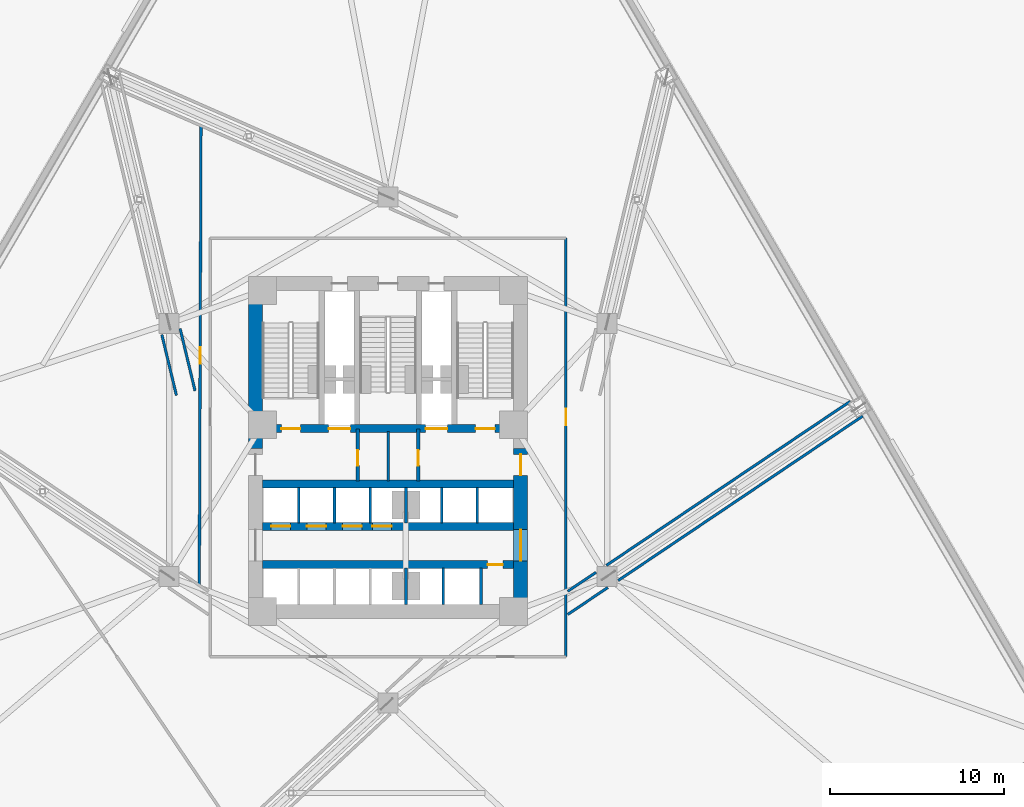
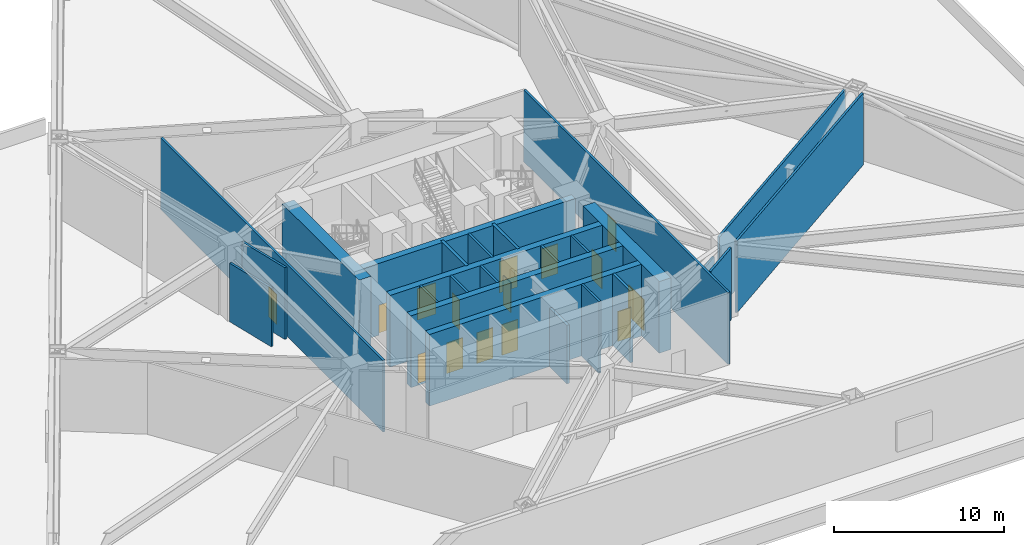
# One storey, part 16 of 23: 26 walls, 15 doors, 15 openings.
"""IFC4 building model written with IfcOpenShell, lengths in metres."""

from ifc_helpers import new_model, si_unit, direction, frame, frame_2d, origin, place, context, subcontext, project, spatial, rectangle, extrude, material, layer, layer_set, type_object, element, fill, save


model = new_model("IFC4")

# Units and contexts
model_context = context("Model", 3, precision=1e-05, world=origin(), true_north=direction((0.0, 1.0)))
body_context = subcontext(model_context, "Body", "Model", "MODEL_VIEW")
ifc_project = project(units=[si_unit("LENGTHUNIT", "METRE"), si_unit("AREAUNIT", "SQUARE_METRE"), si_unit("VOLUMEUNIT", "CUBIC_METRE"), si_unit("PLANEANGLEUNIT", "RADIAN"), si_unit("MASSUNIT", "GRAM", prefix="KILO")], contexts=[model_context])

# Site, building, storey
site_placement = place(None, origin())
site = spatial("IfcSite", under=ifc_project, at=site_placement, CompositionType="ELEMENT")
building_placement = place(site_placement, origin())
building = spatial("IfcBuilding", under=site, at=building_placement, Name="Apsidion Concourse Tower", CompositionType="ELEMENT")
storey_placement = place(building_placement, frame((0.0, 0.0, 29.0)))
storey = spatial("IfcBuildingStorey", under=building, at=storey_placement, Name="L05", CompositionType="ELEMENT", Elevation=29.0)

# Walls
ifc_material_1 = material(Name="Gypsum plasterboard partition")
ifc_layer_1 = layer(ifc_material_1, 0.14990234375)
ifc_layer_set_1 = layer_set([ifc_layer_1], Name="Gypsum plasterboard partition")
wall_type_1 = type_object("IfcWallType", Name="WL-INT-PAR-150", PredefinedType="PARTITIONING", material=ifc_layer_set_1)
for number, where, z_axis, x_axis, name in (
    (1, (-5.125, -4.179931640625, 0.0), (0.0, 0.0, 1.0), (0.0, 1.0, 0.0), "L05 Interior Partition WL-L05-B1DIV-1"),
    (2, (-3.074951171875, -4.179931640625, 0.0), (0.0, 0.0, 1.0), (0.0, 1.0, 0.0), "L05 Interior Partition WL-L05-B1DIV-2"),
    (3, (-1.02490234375, -4.179931640625, 0.0), (0.0, 0.0, 1.0), (0.0, 1.0, 0.0), "L05 Interior Partition WL-L05-B1DIV-3"),
    (4, (3.074951171875, -4.179931640625, 0.0), (0.0, 0.0, 1.0), (0.0, 1.0, 0.0), "L05 Interior Partition WL-L05-B3DIV-1"),
    (5, (5.125, -4.179931640625, 0.0), (0.0, 0.0, 1.0), (0.0, 1.0, 0.0), "L05 Interior Partition WL-L05-B3DIV-2"),
):
    element("IfcWall", number, at=place(storey_placement, frame(where, z_axis=z_axis, x_axis=x_axis)), inside=storey, type_object=wall_type_1, Name=name, PredefinedType="PARTITIONING", context=body_context, shape_type="SweptSolid", body=[
        extrude(rectangle(XDim=2.030029296875, YDim=0.14990234375, at=frame_2d((1.01513671875, 0.0))), origin(), (0.0, 0.0, 1.0), 5.14990234375),
    ])
wall_1_placement = place(storey_placement, frame((3.175048828125, -8.85009765625, 0.0), z_axis=(0.0, 0.0, 1.0), x_axis=(0.0, 1.0, 0.0)))
element("IfcWall", 6, at=wall_1_placement, inside=storey, type_object=wall_type_1, Name="L05 Interior Partition WL-L05-SHDIV-1", PredefinedType="PARTITIONING", context=body_context, shape_type="SweptSolid", body=[
    extrude(rectangle(XDim=2.080078125, YDim=0.14990234375, at=frame_2d((1.0400390625, 0.0))), origin(), (0.0, 0.0, 1.0), 5.14990234375),
])
wall_2_placement = place(storey_placement, frame((0.0, -1.780029296875, 0.0), z_axis=(0.0, 0.0, 1.0), x_axis=(0.0, 1.0, 0.0)))
element("IfcWall", 7, at=wall_2_placement, inside=storey, type_object=wall_type_1, Name="L05 Interior Partition WL-L05-K3V", PredefinedType="PARTITIONING", context=body_context, shape_type="SweptSolid", body=[
    extrude(rectangle(XDim=2.830078125, YDim=0.14990234375, at=frame_2d((1.4150390625, 0.0))), origin(), (0.0, 0.0, 1.0), 5.14990234375),
])

# Wall, opening, door
wall_3_placement = place(storey_placement, frame((10.199951171875, 12.14990234375, 0.0), z_axis=(0.0, 0.0, 1.0), x_axis=(0.0, -1.0, 0.0)))
wall_3 = element("IfcWall", 8, at=wall_3_placement, inside=storey, type_object=wall_type_1, Name="L05 Interior Partition WL-L05-CORR-02", PredefinedType="PARTITIONING", context=body_context, shape_type="SweptSolid", body=[
    extrude(rectangle(XDim=24.0, YDim=0.14990234375, at=frame_2d((12.0, 0.0))), origin(), (0.0, 0.0, 1.0), 5.14990234375),
])
opening_1_placement = place(wall_3_placement, frame((9.78271484375, 0.0, 0.0)))
opening_1 = element("IfcOpeningElement", 9, at=opening_1_placement, cuts=wall_3, Name="Opening D-01L", PredefinedType="OPENING", context=body_context, shape_type="SweptSolid", body=[
    extrude(rectangle(XDim=0.949951171875, YDim=2.14990234375, at=frame_2d((0.47509765625, 1.074951171875))), frame((0.0, 0.0849609375, 0.0), z_axis=(0.0, -1.0, 0.0), x_axis=(1.0, 0.0, 0.0)), (0.0, 0.0, 1.0), 0.169921875),
])
ifc_material_2 = material(Name="Brushed stainless steel 316", Category="steel")
door_type_1 = type_object("IfcDoorType", Name="DR-INT-D01L", OperationType="SINGLE_SWING_LEFT", PredefinedType="DOOR", material=ifc_material_2)
door_1_placement = place(opening_1_placement, origin())
door_1 = element("IfcDoor", 10, at=door_1_placement, inside=storey, type_object=door_type_1, Name="L05 Corridor Entry Door 01", OperationType="SINGLE_SWING_LEFT", OverallHeight=2.14990234375, OverallWidth=0.949951171875, PredefinedType="DOOR", context=body_context, shape_type="SweptSolid", body=[
    extrude(rectangle(XDim=0.949951171875, YDim=2.14990234375, at=frame_2d((0.47509765625, 1.074951171875))), frame((0.0, 0.02490234375, 0.0), z_axis=(0.0, -1.0, 0.0), x_axis=(1.0, 0.0, 0.0)), (0.0, 0.0, 1.0), 0.050048828125),
])
fill(opening_1, door_1)

# Walls
wall_4_placement = place(storey_placement, frame((10.304931640625, -9.4296875, 0.0), z_axis=(0.0, 0.0, 1.0), x_axis=(0.829749593544, 0.558135836525, 0.0)))
element("IfcWall", 11, at=wall_4_placement, inside=storey, type_object=wall_type_1, Name="L05 Interior Partition WL-L05-OTW-02-1-1", PredefinedType="PARTITIONING", context=body_context, shape_type="SweptSolid", body=[
    extrude(rectangle(XDim=2.767578125, YDim=0.14990234375, at=frame_2d((1.3837890625, 0.0))), origin(), (0.0, 0.0, 1.0), 5.14990234375),
])
wall_5_placement = place(storey_placement, frame((13.195068359375, -7.48583984375, 0.0), z_axis=(0.0, 0.0, 1.0), x_axis=(0.829762980898, 0.558115933773, 0.0)))
element("IfcWall", 12, at=wall_5_placement, inside=storey, type_object=wall_type_1, Name="L05 Interior Partition WL-L05-OTW-02-1-2", PredefinedType="PARTITIONING", context=body_context, shape_type="SweptSolid", body=[
    extrude(rectangle(XDim=16.89990234375, YDim=0.14990234375, at=frame_2d((8.449951171875, 0.0))), origin(), (0.0, 0.0, 1.0), 5.14990234375),
])
wall_6_placement = place(storey_placement, frame((10.304931640625, -8.10400390625, 0.0), z_axis=(0.0, 0.0, 1.0), x_axis=(0.829792650757, 0.558071820423, 0.0)))
element("IfcWall", 13, at=wall_6_placement, inside=storey, type_object=wall_type_1, Name="L05 Interior Partition WL-L05-OTW-02-2-1", PredefinedType="PARTITIONING", context=body_context, shape_type="SweptSolid", body=[
    extrude(rectangle(XDim=1.952392578125, YDim=0.14990234375, at=frame_2d((0.97607421875, 0.0))), origin(), (0.0, 0.0, 1.0), 4.197998046875),
])
wall_7_placement = place(storey_placement, frame((12.518798828125, -6.614990234375, 0.0), z_axis=(0.0, 0.0, 1.0), x_axis=(0.829763697696, 0.558114868093, 0.0)))
element("IfcWall", 14, at=wall_7_placement, inside=storey, type_object=wall_type_1, Name="L05 Interior Partition WL-L05-OTW-02-2-2", PredefinedType="PARTITIONING", context=body_context, shape_type="SweptSolid", body=[
    extrude(rectangle(XDim=16.855712890625, YDim=0.14990234375, at=frame_2d((8.427734375, 0.0))), origin(), (0.0, 0.0, 1.0), 5.14990234375),
])
wall_8_placement = place(storey_placement, frame((-11.06884765625, 3.391357421875, 0.0), z_axis=(0.0, 0.0, 1.0), x_axis=(-0.233259748633, 0.972414463934, 0.0)))
element("IfcWall", 15, at=wall_8_placement, inside=storey, type_object=wall_type_1, Name="L05 Interior Partition WL-L05-OTW-05-1-1", PredefinedType="PARTITIONING", context=body_context, shape_type="SweptSolid", body=[
    extrude(rectangle(XDim=3.670654296875, YDim=0.14990234375, at=frame_2d((1.83544921875, 0.0))), origin(), (0.0, 0.0, 1.0), 5.14990234375),
])
wall_9_placement = place(storey_placement, frame((-12.138671875, 3.134765625, 0.0), z_axis=(0.0, 0.0, 1.0), x_axis=(-0.233231047995, 0.972421348105, 0.0)))
element("IfcWall", 16, at=wall_9_placement, inside=storey, type_object=wall_type_1, Name="L05 Interior Partition WL-L05-OTW-05-2-1", PredefinedType="PARTITIONING", context=body_context, shape_type="SweptSolid", body=[
    extrude(rectangle(XDim=3.578857421875, YDim=0.14990234375, at=frame_2d((1.78955078125, 0.0))), origin(), (0.0, 0.0, 1.0), 4.197998046875),
])

# Wall, opening, door
wall_10_placement = place(storey_placement, frame((-10.72900390625, 18.574462890625, 0.0), z_axis=(0.0, 0.0, 1.0), x_axis=(-0.003666140832, -0.999993279683, 0.0)))
wall_10 = element("IfcWall", 17, at=wall_10_placement, inside=storey, type_object=wall_type_1, Name="L05 Interior Partition WL-L05-CHD-PLS03", PredefinedType="PARTITIONING", context=body_context, shape_type="SweptSolid", body=[
    extrude(rectangle(XDim=26.304443359375, YDim=0.14990234375, at=frame_2d((13.15234375, 0.0))), origin(), (0.0, 0.0, 1.0), 5.14990234375),
])
opening_2_placement = place(wall_10_placement, frame((12.677001953125, 0.0, 0.0)))
opening_2 = element("IfcOpeningElement", 18, at=opening_2_placement, cuts=wall_10, Name="Opening D-04L", PredefinedType="OPENING", context=body_context, shape_type="SweptSolid", body=[
    extrude(rectangle(XDim=0.949951171875, YDim=2.14990234375, at=frame_2d((0.47509765625, 1.074951171875))), frame((0.0, 0.0849609375, 0.0), z_axis=(0.0, -1.0, 0.0), x_axis=(1.0, 0.0, 0.0)), (0.0, 0.0, 1.0), 0.169921875),
])
door_type_2 = type_object("IfcDoorType", Name="DR-INT-D04L", OperationType="SINGLE_SWING_LEFT", PredefinedType="DOOR", material=ifc_material_2)
door_2_placement = place(opening_2_placement, origin())
door_2 = element("IfcDoor", 19, at=door_2_placement, inside=storey, type_object=door_type_2, Name="L05 Suite Connecting Door PLS03", OperationType="SINGLE_SWING_LEFT", OverallHeight=2.14990234375, OverallWidth=0.949951171875, PredefinedType="DOOR", context=body_context, shape_type="SweptSolid", body=[
    extrude(rectangle(XDim=0.949951171875, YDim=2.14990234375, at=frame_2d((0.47509765625, 1.074951171875))), frame((0.0, 0.02490234375, 0.0), z_axis=(0.0, -1.0, 0.0), x_axis=(1.0, 0.0, 0.0)), (0.0, 0.0, 1.0), 0.050048828125),
])
fill(opening_2, door_2)

# Walls
ifc_layer_2 = layer(ifc_material_1, 0.179931640625)
ifc_layer_set_2 = layer_set([ifc_layer_2], Name="Gypsum plasterboard partition")
wall_type_2 = type_object("IfcWallType", Name="WL-INT-PAR-180", PredefinedType="PARTITIONING", material=ifc_layer_set_2)
wall_11_placement = place(storey_placement, frame((1.02490234375, -4.179931640625, 0.0), z_axis=(0.0, 0.0, 1.0), x_axis=(0.0, 1.0, 0.0)))
element("IfcWall", 20, at=wall_11_placement, inside=storey, type_object=wall_type_2, Name="L05 Interior Partition WL-L05-B1END", PredefinedType="PARTITIONING", context=body_context, shape_type="SweptSolid", body=[
    extrude(rectangle(XDim=2.030029296875, YDim=0.179931640625, at=frame_2d((1.01513671875, 0.0))), origin(), (0.0, 0.0, 1.0), 4.197998046875),
])
wall_12_placement = place(storey_placement, frame((1.02490234375, -8.85009765625, 0.0), z_axis=(0.0, 0.0, 1.0), x_axis=(0.0, 1.0, 0.0)))
element("IfcWall", 21, at=wall_12_placement, inside=storey, type_object=wall_type_2, Name="L05 Interior Partition WL-L05-B2END", PredefinedType="PARTITIONING", context=body_context, shape_type="SweptSolid", body=[
    extrude(rectangle(XDim=2.080078125, YDim=0.179931640625, at=frame_2d((1.0400390625, 0.0))), origin(), (0.0, 0.0, 1.0), 4.197998046875),
])
wall_13_placement = place(storey_placement, frame((5.324951171875, -8.85009765625, 0.0), z_axis=(0.0, 0.0, 1.0), x_axis=(0.0, 1.0, 0.0)))
element("IfcWall", 22, at=wall_13_placement, inside=storey, type_object=wall_type_2, Name="L05 Interior Partition WL-L05-SHDIV-2", PredefinedType="PARTITIONING", context=body_context, shape_type="SweptSolid", body=[
    extrude(rectangle(XDim=2.080078125, YDim=0.179931640625, at=frame_2d((1.0400390625, 0.0))), origin(), (0.0, 0.0, 1.0), 5.14990234375),
])

# Wall, opening, door
ifc_layer_3 = layer(ifc_material_1, 0.199951171875)
ifc_layer_set_3 = layer_set([ifc_layer_3], Name="Gypsum plasterboard partition")
wall_type_3 = type_object("IfcWallType", Name="WL-INT-PAR-200", PredefinedType="PARTITIONING", material=ifc_layer_set_3)
wall_14_placement = place(storey_placement, frame((-1.739990234375, -1.780029296875, 0.0), z_axis=(0.0, 0.0, 1.0), x_axis=(0.0, 1.0, 0.0)))
wall_14 = element("IfcWall", 23, at=wall_14_placement, inside=storey, type_object=wall_type_3, Name="L05 Interior Partition WL-L05-FF1-E", PredefinedType="PARTITIONING", context=body_context, shape_type="SweptSolid", body=[
    extrude(rectangle(XDim=2.97998046875, YDim=0.199951171875, at=frame_2d((1.489990234375, 0.0))), origin(), (0.0, 0.0, 1.0), 5.14990234375),
])
opening_3_placement = place(wall_14_placement, frame((0.889892578125, 0.0, 0.0)))
opening_3 = element("IfcOpeningElement", 24, at=opening_3_placement, cuts=wall_14, Name="Opening D-05R", PredefinedType="OPENING", context=body_context, shape_type="SweptSolid", body=[
    extrude(rectangle(XDim=0.8798828125, YDim=2.14990234375, at=frame_2d((0.43994140625, 1.074951171875))), frame((0.0, 0.10986328125, 0.0), z_axis=(0.0, -1.0, 0.0), x_axis=(1.0, 0.0, 0.0)), (0.0, 0.0, 1.0), 0.219970703125),
])
door_type_3 = type_object("IfcDoorType", Name="DR-INT-D05R", OperationType="SINGLE_SWING_RIGHT", PredefinedType="DOOR", material=ifc_material_2)
door_3_placement = place(opening_3_placement, origin())
door_3 = element("IfcDoor", 25, at=door_3_placement, inside=storey, type_object=door_type_3, Name="L05 Core Pantry Door", OperationType="SINGLE_SWING_RIGHT", OverallHeight=2.14990234375, OverallWidth=0.8798828125, PredefinedType="DOOR", context=body_context, shape_type="SweptSolid", body=[
    extrude(rectangle(XDim=0.8798828125, YDim=2.14990234375, at=frame_2d((0.43994140625, 1.074951171875))), frame((0.0, 0.02490234375, 0.0), z_axis=(0.0, -1.0, 0.0), x_axis=(1.0, 0.0, 0.0)), (0.0, 0.0, 1.0), 0.050048828125),
])
fill(opening_3, door_3)

wall_15_placement = place(storey_placement, frame((1.739990234375, -1.780029296875, 0.0), z_axis=(0.0, 0.0, 1.0), x_axis=(0.0, 1.0, 0.0)))
wall_15 = element("IfcWall", 26, at=wall_15_placement, inside=storey, type_object=wall_type_3, Name="L05 Interior Partition WL-L05-FF2-W", PredefinedType="PARTITIONING", context=body_context, shape_type="SweptSolid", body=[
    extrude(rectangle(XDim=2.97998046875, YDim=0.199951171875, at=frame_2d((1.489990234375, 0.0))), origin(), (0.0, 0.0, 1.0), 5.14990234375),
])
opening_4_placement = place(wall_15_placement, frame((0.889892578125, 0.0, 0.0)))
opening_4 = element("IfcOpeningElement", 27, at=opening_4_placement, cuts=wall_15, Name="Opening D-05L", PredefinedType="OPENING", context=body_context, shape_type="SweptSolid", body=[
    extrude(rectangle(XDim=0.8798828125, YDim=2.14990234375, at=frame_2d((0.43994140625, 1.074951171875))), frame((0.0, 0.10986328125, 0.0), z_axis=(0.0, -1.0, 0.0), x_axis=(1.0, 0.0, 0.0)), (0.0, 0.0, 1.0), 0.219970703125),
])
door_type_4 = type_object("IfcDoorType", Name="DR-INT-D05L", OperationType="SINGLE_SWING_LEFT", PredefinedType="DOOR", material=ifc_material_2)
door_4_placement = place(opening_4_placement, origin())
door_4 = element("IfcDoor", 28, at=door_4_placement, inside=storey, type_object=door_type_4, Name="L05 Core Electrical Door", OperationType="SINGLE_SWING_LEFT", OverallHeight=2.14990234375, OverallWidth=0.8798828125, PredefinedType="DOOR", context=body_context, shape_type="SweptSolid", body=[
    extrude(rectangle(XDim=0.8798828125, YDim=2.14990234375, at=frame_2d((0.43994140625, 1.074951171875))), frame((0.0, 0.02490234375, 0.0), z_axis=(0.0, -1.0, 0.0), x_axis=(1.0, 0.0, 0.0)), (0.0, 0.0, 1.0), 0.050048828125),
])
fill(opening_4, door_4)

# Wall, openings, doors
ifc_material_3 = material(Name="Concrete C60/75", Category="concrete")
ifc_layer_4 = layer(ifc_material_3, 0.449951171875)
ifc_layer_set_4 = layer_set([ifc_layer_4], Name="Concrete C60/75")
wall_type_4 = type_object("IfcWallType", Name="WL-SH-450", PredefinedType="SHEAR", material=ifc_layer_set_4)
wall_16_placement = place(storey_placement, frame((-7.199951171875, 1.22509765625, 0.0), z_axis=(0.0, 0.0, 1.0), x_axis=(1.0, 0.0, 0.0)))
wall_16 = element("IfcWall", 29, at=wall_16_placement, inside=storey, type_object=wall_type_4, Name="L05 Central Core Shear Wall M1", PredefinedType="SHEAR", context=body_context, shape_type="SweptSolid", body=[
    extrude(rectangle(XDim=14.39990234375, YDim=0.449951171875, at=frame_2d((7.199951171875, 0.0))), origin(), (0.0, 0.0, 1.0), 5.14990234375),
])
opening_5_placement = place(wall_16_placement, frame((3.794921875, 0.0, 0.0)))
opening_5 = element("IfcOpeningElement", 30, at=opening_5_placement, cuts=wall_16, Name="Opening LD-FF", PredefinedType="OPENING", context=body_context, shape_type="SweptSolid", body=[
    extrude(rectangle(XDim=1.25, YDim=2.25, at=frame_2d((0.625, 1.125))), frame((0.0, 0.23486328125, 0.0), z_axis=(0.0, -1.0, 0.0), x_axis=(1.0, 0.0, 0.0)), (0.0, 0.0, 1.0), 0.469970703125),
])
opening_6_placement = place(wall_16_placement, frame((9.35498046875, 0.0, 0.0)))
opening_6 = element("IfcOpeningElement", 31, at=opening_6_placement, cuts=wall_16, Name="Opening LD-FF", PredefinedType="OPENING", context=body_context, shape_type="SweptSolid", body=[
    extrude(rectangle(XDim=1.25, YDim=2.25, at=frame_2d((0.625, 1.125))), frame((0.0, 0.23486328125, 0.0), z_axis=(0.0, -1.0, 0.0), x_axis=(1.0, 0.0, 0.0)), (0.0, 0.0, 1.0), 0.469970703125),
])
opening_7_placement = place(wall_16_placement, frame((1.074951171875, 0.0, 0.0)))
opening_7 = element("IfcOpeningElement", 32, at=opening_7_placement, cuts=wall_16, Name="Opening D-STL", PredefinedType="OPENING", context=body_context, shape_type="SweptSolid", body=[
    extrude(rectangle(XDim=1.10009765625, YDim=2.14990234375, at=frame_2d((0.550048828125, 1.074951171875))), frame((0.0, 0.23486328125, 0.0), z_axis=(0.0, -1.0, 0.0), x_axis=(1.0, 0.0, 0.0)), (0.0, 0.0, 1.0), 0.469970703125),
])
opening_8_placement = place(wall_16_placement, frame((12.22509765625, 0.0, 0.0)))
opening_8 = element("IfcOpeningElement", 33, at=opening_8_placement, cuts=wall_16, Name="Opening D-STR", PredefinedType="OPENING", context=body_context, shape_type="SweptSolid", body=[
    extrude(rectangle(XDim=1.10009765625, YDim=2.14990234375, at=frame_2d((0.550048828125, 1.074951171875))), frame((0.0, 0.23486328125, 0.0), z_axis=(0.0, -1.0, 0.0), x_axis=(1.0, 0.0, 0.0)), (0.0, 0.0, 1.0), 0.469970703125),
])
door_type_5 = type_object("IfcDoorType", Name="DR-INT-ST1L", OperationType="SINGLE_SWING_LEFT", PredefinedType="DOOR", material=ifc_material_2)
door_5_placement = place(opening_7_placement, origin())
door_5 = element("IfcDoor", 34, at=door_5_placement, inside=storey, type_object=door_type_5, Name="L05 Core Exit Stair ST1 Door", OperationType="SINGLE_SWING_LEFT", OverallHeight=2.14990234375, OverallWidth=1.10009765625, PredefinedType="DOOR", context=body_context, shape_type="SweptSolid", body=[
    extrude(rectangle(XDim=1.10009765625, YDim=2.14990234375, at=frame_2d((0.550048828125, 1.074951171875))), frame((0.0, 0.02490234375, 0.0), z_axis=(0.0, -1.0, 0.0), x_axis=(1.0, 0.0, 0.0)), (0.0, 0.0, 1.0), 0.050048828125),
])
fill(opening_7, door_5)
door_type_6 = type_object("IfcDoorType", Name="DR-INT-ST1R", OperationType="SINGLE_SWING_RIGHT", PredefinedType="DOOR", material=ifc_material_2)
door_6_placement = place(opening_8_placement, origin())
door_6 = element("IfcDoor", 35, at=door_6_placement, inside=storey, type_object=door_type_6, Name="L05 Core Exit Stair ST2 Door", OperationType="SINGLE_SWING_RIGHT", OverallHeight=2.14990234375, OverallWidth=1.10009765625, PredefinedType="DOOR", context=body_context, shape_type="SweptSolid", body=[
    extrude(rectangle(XDim=1.10009765625, YDim=2.14990234375, at=frame_2d((0.550048828125, 1.074951171875))), frame((0.0, 0.02490234375, 0.0), z_axis=(0.0, -1.0, 0.0), x_axis=(1.0, 0.0, 0.0)), (0.0, 0.0, 1.0), 0.050048828125),
])
fill(opening_8, door_6)
door_type_7 = type_object("IfcDoorType", Name="DR-LD-FSAE", OperationType="DOUBLE_DOOR_SLIDING", PredefinedType="DOOR", material=ifc_material_2)
door_7_placement = place(opening_5_placement, origin())
door_7 = element("IfcDoor", 36, at=door_7_placement, inside=storey, type_object=door_type_7, Name="L05 Lift Landing Door FF1", OperationType="DOUBLE_DOOR_SLIDING", OverallHeight=2.25, OverallWidth=1.25, PredefinedType="DOOR", context=body_context, shape_type="SweptSolid", body=[
    extrude(rectangle(XDim=1.25, YDim=2.25, at=frame_2d((0.625, 1.125))), frame((0.0, 0.02490234375, 0.0), z_axis=(0.0, -1.0, 0.0), x_axis=(1.0, 0.0, 0.0)), (0.0, 0.0, 1.0), 0.050048828125),
])
fill(opening_5, door_7)
door_8_placement = place(opening_6_placement, origin())
door_8 = element("IfcDoor", 37, at=door_8_placement, inside=storey, type_object=door_type_7, Name="L05 Lift Landing Door FF2", OperationType="DOUBLE_DOOR_SLIDING", OverallHeight=2.25, OverallWidth=1.25, PredefinedType="DOOR", context=body_context, shape_type="SweptSolid", body=[
    extrude(rectangle(XDim=1.25, YDim=2.25, at=frame_2d((0.625, 1.125))), frame((0.0, 0.02490234375, 0.0), z_axis=(0.0, -1.0, 0.0), x_axis=(1.0, 0.0, 0.0)), (0.0, 0.0, 1.0), 0.050048828125),
])
fill(opening_6, door_8)

# Wall
wall_17_placement = place(storey_placement, frame((-7.199951171875, -1.949951171875, 0.0), z_axis=(0.0, 0.0, 1.0), x_axis=(1.0, 0.0, 0.0)))
element("IfcWall", 38, at=wall_17_placement, inside=storey, type_object=wall_type_4, Name="L05 Central Core Shear Wall M2", PredefinedType="SHEAR", context=body_context, shape_type="SweptSolid", body=[
    extrude(rectangle(XDim=14.39990234375, YDim=0.449951171875, at=frame_2d((7.199951171875, 0.0))), origin(), (0.0, 0.0, 1.0), 5.14990234375),
])

# Wall, openings, doors
wall_18_placement = place(storey_placement, frame((-7.199951171875, -4.3798828125, 0.0), z_axis=(0.0, 0.0, 1.0), x_axis=(1.0, 0.0, 0.0)))
wall_18 = element("IfcWall", 39, at=wall_18_placement, inside=storey, type_object=wall_type_4, Name="L05 Central Core Shear Wall LA", PredefinedType="SHEAR", context=body_context, shape_type="SweptSolid", body=[
    extrude(rectangle(XDim=14.39990234375, YDim=0.449951171875, at=frame_2d((7.199951171875, 0.0))), origin(), (0.0, 0.0, 1.0), 5.14990234375),
])
opening_9_placement = place(wall_18_placement, frame((0.5, 0.0, 0.0)))
opening_9 = element("IfcOpeningElement", 40, at=opening_9_placement, cuts=wall_18, Name="Opening LD-P1", PredefinedType="OPENING", context=body_context, shape_type="SweptSolid", body=[
    extrude(rectangle(XDim=1.10009765625, YDim=2.199951171875, at=frame_2d((0.550048828125, 1.10009765625))), frame((0.0, 0.23486328125, 0.0), z_axis=(0.0, -1.0, 0.0), x_axis=(1.0, 0.0, 0.0)), (0.0, 0.0, 1.0), 0.469970703125),
])
opening_10_placement = place(wall_18_placement, frame((2.550048828125, 0.0, 0.0)))
opening_10 = element("IfcOpeningElement", 41, at=opening_10_placement, cuts=wall_18, Name="Opening LD-P1", PredefinedType="OPENING", context=body_context, shape_type="SweptSolid", body=[
    extrude(rectangle(XDim=1.10009765625, YDim=2.199951171875, at=frame_2d((0.550048828125, 1.10009765625))), frame((0.0, 0.23486328125, 0.0), z_axis=(0.0, -1.0, 0.0), x_axis=(1.0, 0.0, 0.0)), (0.0, 0.0, 1.0), 0.469970703125),
])
opening_11_placement = place(wall_18_placement, frame((4.60009765625, 0.0, 0.0)))
opening_11 = element("IfcOpeningElement", 42, at=opening_11_placement, cuts=wall_18, Name="Opening LD-P1", PredefinedType="OPENING", context=body_context, shape_type="SweptSolid", body=[
    extrude(rectangle(XDim=1.10009765625, YDim=2.199951171875, at=frame_2d((0.550048828125, 1.10009765625))), frame((0.0, 0.23486328125, 0.0), z_axis=(0.0, -1.0, 0.0), x_axis=(1.0, 0.0, 0.0)), (0.0, 0.0, 1.0), 0.469970703125),
])
opening_12_placement = place(wall_18_placement, frame((6.300048828125, 0.0, 0.0)))
opening_12 = element("IfcOpeningElement", 43, at=opening_12_placement, cuts=wall_18, Name="Opening LD-P1", PredefinedType="OPENING", context=body_context, shape_type="SweptSolid", body=[
    extrude(rectangle(XDim=1.10009765625, YDim=2.199951171875, at=frame_2d((0.550048828125, 1.10009765625))), frame((0.0, 0.23486328125, 0.0), z_axis=(0.0, -1.0, 0.0), x_axis=(1.0, 0.0, 0.0)), (0.0, 0.0, 1.0), 0.469970703125),
])
door_type_8 = type_object("IfcDoorType", Name="DR-LD-PASS", OperationType="DOUBLE_DOOR_SLIDING", PredefinedType="DOOR", material=ifc_material_2)
door_9_placement = place(opening_9_placement, origin())
door_9 = element("IfcDoor", 44, at=door_9_placement, inside=storey, type_object=door_type_8, Name="L05 Lift Landing Door P1", OperationType="DOUBLE_DOOR_SLIDING", OverallHeight=2.199951171875, OverallWidth=1.10009765625, PredefinedType="DOOR", context=body_context, shape_type="SweptSolid", body=[
    extrude(rectangle(XDim=1.10009765625, YDim=2.199951171875, at=frame_2d((0.550048828125, 1.10009765625))), frame((0.0, 0.02490234375, 0.0), z_axis=(0.0, -1.0, 0.0), x_axis=(1.0, 0.0, 0.0)), (0.0, 0.0, 1.0), 0.050048828125),
])
fill(opening_9, door_9)
door_10_placement = place(opening_10_placement, origin())
door_10 = element("IfcDoor", 45, at=door_10_placement, inside=storey, type_object=door_type_8, Name="L05 Lift Landing Door P2", OperationType="DOUBLE_DOOR_SLIDING", OverallHeight=2.199951171875, OverallWidth=1.10009765625, PredefinedType="DOOR", context=body_context, shape_type="SweptSolid", body=[
    extrude(rectangle(XDim=1.10009765625, YDim=2.199951171875, at=frame_2d((0.550048828125, 1.10009765625))), frame((0.0, 0.02490234375, 0.0), z_axis=(0.0, -1.0, 0.0), x_axis=(1.0, 0.0, 0.0)), (0.0, 0.0, 1.0), 0.050048828125),
])
fill(opening_10, door_10)
door_11_placement = place(opening_11_placement, origin())
door_11 = element("IfcDoor", 46, at=door_11_placement, inside=storey, type_object=door_type_8, Name="L05 Lift Landing Door P3", OperationType="DOUBLE_DOOR_SLIDING", OverallHeight=2.199951171875, OverallWidth=1.10009765625, PredefinedType="DOOR", context=body_context, shape_type="SweptSolid", body=[
    extrude(rectangle(XDim=1.10009765625, YDim=2.199951171875, at=frame_2d((0.550048828125, 1.10009765625))), frame((0.0, 0.02490234375, 0.0), z_axis=(0.0, -1.0, 0.0), x_axis=(1.0, 0.0, 0.0)), (0.0, 0.0, 1.0), 0.050048828125),
])
fill(opening_11, door_11)
door_12_placement = place(opening_12_placement, origin())
door_12 = element("IfcDoor", 47, at=door_12_placement, inside=storey, type_object=door_type_8, Name="L05 Lift Landing Door P4", OperationType="DOUBLE_DOOR_SLIDING", OverallHeight=2.199951171875, OverallWidth=1.10009765625, PredefinedType="DOOR", context=body_context, shape_type="SweptSolid", body=[
    extrude(rectangle(XDim=1.10009765625, YDim=2.199951171875, at=frame_2d((0.550048828125, 1.10009765625))), frame((0.0, 0.02490234375, 0.0), z_axis=(0.0, -1.0, 0.0), x_axis=(1.0, 0.0, 0.0)), (0.0, 0.0, 1.0), 0.050048828125),
])
fill(opening_12, door_12)

# Wall, opening, door
wall_19_placement = place(storey_placement, frame((-7.199951171875, -6.570068359375, 0.0), z_axis=(0.0, 0.0, 1.0), x_axis=(1.0, 0.0, 0.0)))
wall_19 = element("IfcWall", 48, at=wall_19_placement, inside=storey, type_object=wall_type_4, Name="L05 Central Core Shear Wall LB", PredefinedType="SHEAR", context=body_context, shape_type="SweptSolid", body=[
    extrude(rectangle(XDim=14.39990234375, YDim=0.449951171875, at=frame_2d((7.199951171875, 0.0))), origin(), (0.0, 0.0, 1.0), 5.14990234375),
])
opening_13_placement = place(wall_19_placement, frame((12.909912109375, 0.0, 0.0)))
opening_13 = element("IfcOpeningElement", 49, at=opening_13_placement, cuts=wall_19, Name="Opening D-05L", PredefinedType="OPENING", context=body_context, shape_type="SweptSolid", body=[
    extrude(rectangle(XDim=0.8798828125, YDim=2.14990234375, at=frame_2d((0.43994140625, 1.074951171875))), frame((0.0, 0.23486328125, 0.0), z_axis=(0.0, -1.0, 0.0), x_axis=(1.0, 0.0, 0.0)), (0.0, 0.0, 1.0), 0.469970703125),
])
door_13_placement = place(opening_13_placement, origin())
door_13 = element("IfcDoor", 50, at=door_13_placement, inside=storey, type_object=door_type_4, Name="L05 Cleaners Store Door", OperationType="SINGLE_SWING_LEFT", OverallHeight=2.14990234375, OverallWidth=0.8798828125, PredefinedType="DOOR", context=body_context, shape_type="SweptSolid", body=[
    extrude(rectangle(XDim=0.8798828125, YDim=2.14990234375, at=frame_2d((0.43994140625, 1.074951171875))), frame((0.0, 0.02490234375, 0.0), z_axis=(0.0, -1.0, 0.0), x_axis=(1.0, 0.0, 0.0)), (0.0, 0.0, 1.0), 0.050048828125),
])
fill(opening_13, door_13)

# Wall
ifc_layer_5 = layer(ifc_material_3, 0.800048828125)
ifc_layer_set_5 = layer_set([ifc_layer_5], Name="Concrete C60/75")
wall_type_5 = type_object("IfcWallType", Name="WL-SH-800", PredefinedType="SHEAR", material=ifc_layer_set_5)
wall_20_placement = place(storey_placement, frame((-7.60009765625, 0.10009765625, 0.0), z_axis=(0.0, 0.0, 1.0), x_axis=(0.0, 1.0, 0.0)))
element("IfcWall", 51, at=wall_20_placement, inside=storey, type_object=wall_type_5, Name="L05 Central Core Shear Wall WN", PredefinedType="SHEAR", context=body_context, shape_type="SweptSolid", body=[
    extrude(rectangle(XDim=9.0498046875, YDim=0.800048828125, at=frame_2d((4.52490234375, 0.0))), origin(), (0.0, 0.0, 1.0), 5.14990234375),
])

# Wall, openings, doors
wall_21_placement = place(storey_placement, frame((7.60009765625, -8.85009765625, 0.0), z_axis=(0.0, 0.0, 1.0), x_axis=(0.0, 1.0, 0.0)))
wall_21 = element("IfcWall", 52, at=wall_21_placement, inside=storey, type_object=wall_type_5, Name="L05 Central Core Shear Wall ES", PredefinedType="SHEAR", context=body_context, shape_type="SweptSolid", body=[
    extrude(rectangle(XDim=8.9501953125, YDim=0.800048828125, at=frame_2d((4.47509765625, 0.0))), origin(), (0.0, 0.0, 1.0), 5.14990234375),
])
opening_14_placement = place(wall_21_placement, frame((2.489990234375, 0.0, 0.0)))
opening_14 = element("IfcOpeningElement", 53, at=opening_14_placement, cuts=wall_21, Name="Opening D-06D", PredefinedType="OPENING", context=body_context, shape_type="SweptSolid", body=[
    extrude(rectangle(XDim=1.800048828125, YDim=2.199951171875, at=frame_2d((0.89990234375, 1.10009765625))), frame((0.0, 0.41015625, 0.0), z_axis=(0.0, -1.0, 0.0), x_axis=(1.0, 0.0, 0.0)), (0.0, 0.0, 1.0), 0.820068359375),
])
opening_15_placement = place(wall_21_placement, frame((7.39990234375, 0.0, 0.0)))
opening_15 = element("IfcOpeningElement", 54, at=opening_15_placement, cuts=wall_21, Name="Opening D-FFR", PredefinedType="OPENING", context=body_context, shape_type="SweptSolid", body=[
    extrude(rectangle(XDim=1.199951171875, YDim=2.14990234375, at=frame_2d((0.60009765625, 1.074951171875))), frame((0.0, 0.41015625, 0.0), z_axis=(0.0, -1.0, 0.0), x_axis=(1.0, 0.0, 0.0)), (0.0, 0.0, 1.0), 0.820068359375),
])
door_type_9 = type_object("IfcDoorType", Name="DR-INT-D06D", OperationType="DOUBLE_DOOR_SINGLE_SWING", PredefinedType="DOOR", material=ifc_material_2)
door_14_placement = place(opening_14_placement, origin())
door_14 = element("IfcDoor", 55, at=door_14_placement, inside=storey, type_object=door_type_9, Name="L05 Passenger Lift Lobby ES Portal Door", OperationType="DOUBLE_DOOR_SINGLE_SWING", OverallHeight=2.199951171875, OverallWidth=1.800048828125, PredefinedType="DOOR", context=body_context, shape_type="SweptSolid", body=[
    extrude(rectangle(XDim=1.800048828125, YDim=2.199951171875, at=frame_2d((0.89990234375, 1.10009765625))), frame((0.0, 0.02490234375, 0.0), z_axis=(0.0, -1.0, 0.0), x_axis=(1.0, 0.0, 0.0)), (0.0, 0.0, 1.0), 0.050048828125),
])
fill(opening_14, door_14)
door_type_10 = type_object("IfcDoorType", Name="DR-INT-FFR", OperationType="SINGLE_SWING_RIGHT", PredefinedType="DOOR", material=ifc_material_2)
door_15_placement = place(opening_15_placement, origin())
door_15 = element("IfcDoor", 56, at=door_15_placement, inside=storey, type_object=door_type_10, Name="L05 Firefighting Lift Lobby FF2 Door", OperationType="SINGLE_SWING_RIGHT", OverallHeight=2.14990234375, OverallWidth=1.199951171875, PredefinedType="DOOR", context=body_context, shape_type="SweptSolid", body=[
    extrude(rectangle(XDim=1.199951171875, YDim=2.14990234375, at=frame_2d((0.60009765625, 1.074951171875))), frame((0.0, 0.02490234375, 0.0), z_axis=(0.0, -1.0, 0.0), x_axis=(1.0, 0.0, 0.0)), (0.0, 0.0, 1.0), 0.050048828125),
])
fill(opening_15, door_15)

save(model, "model.ifc")
